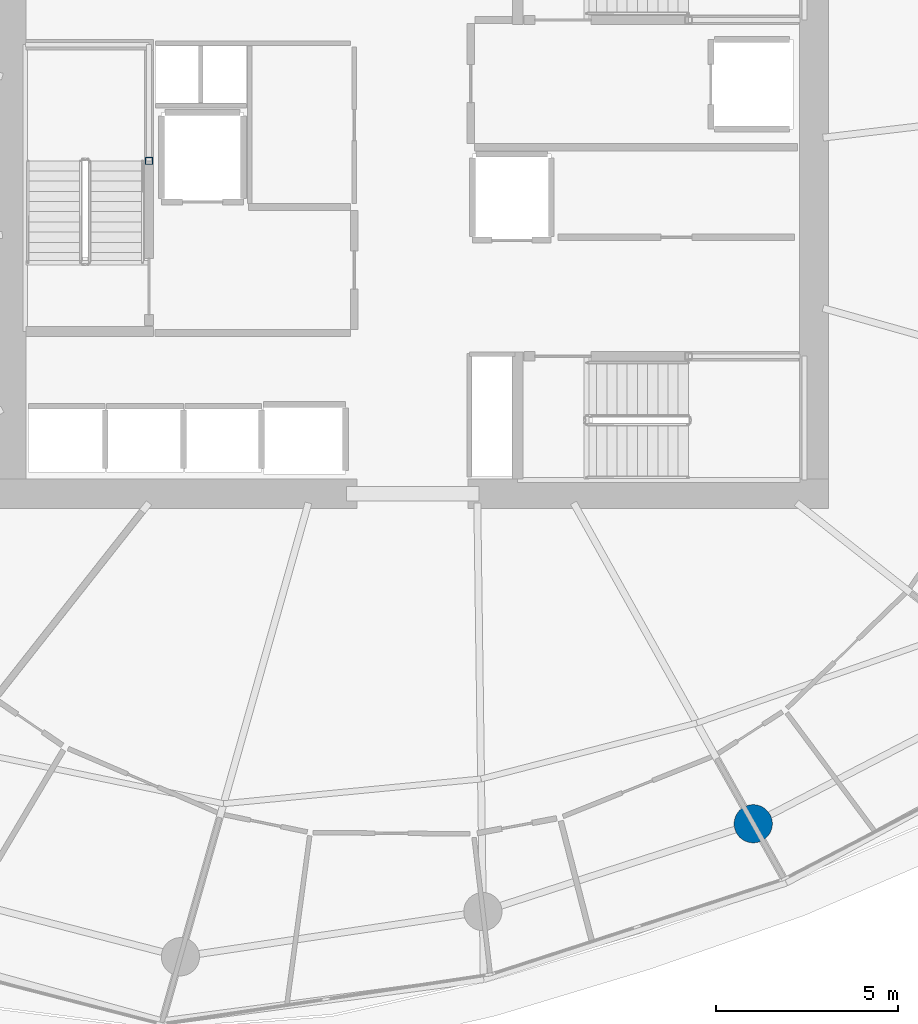
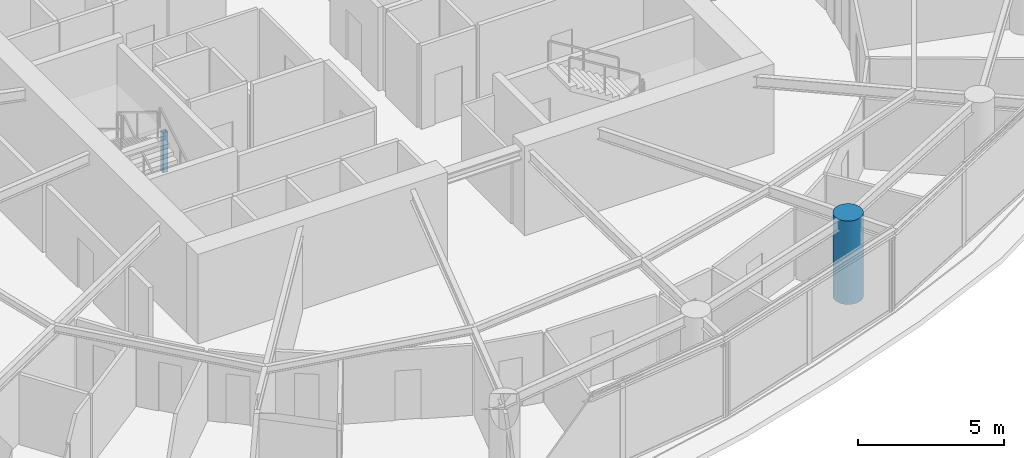
# One storey, part 2 of 17: 2 columns.
"""IFC4 building model written with IfcOpenShell, lengths in metres."""

from ifc_helpers import new_model, si_unit, direction, frame, origin, origin_2d, place, context, subcontext, project, spatial, hollow_rectangle, circle, extrude, material, material_profile, profile_set, type_object, element, save


model = new_model("IFC4")

# Units and contexts
model_context = context("Model", 3, precision=1e-05, world=origin(), true_north=direction((0.0, 1.0)))
body_context = subcontext(model_context, "Body", "Model", "MODEL_VIEW")
ifc_project = project(units=[si_unit("LENGTHUNIT", "METRE"), si_unit("AREAUNIT", "SQUARE_METRE"), si_unit("VOLUMEUNIT", "CUBIC_METRE"), si_unit("PLANEANGLEUNIT", "RADIAN"), si_unit("MASSUNIT", "GRAM", prefix="KILO")], contexts=[model_context])

# Site, building, storey
site_placement = place(None, origin())
site = spatial("IfcSite", under=ifc_project, at=site_placement, CompositionType="ELEMENT")
building_placement = place(site_placement, origin())
building = spatial("IfcBuilding", under=site, at=building_placement, Name="Kazma Halo Residences", CompositionType="ELEMENT")
storey_placement = place(building_placement, frame((0.0, 0.0, 127.800048828125)))
storey = spatial("IfcBuildingStorey", under=building, at=storey_placement, Name="L31", CompositionType="ELEMENT", Elevation=127.800048828125)

# Columns
ifc_material_1 = material(Name="Steel S355", Category="steel")
ifc_material_profile_1 = material_profile(ifc_material_1, hollow_rectangle(XDim=0.199951171875, YDim=0.199951171875, WallThickness=0.010009765625, InnerFilletRadius=0.010009765625, OuterFilletRadius=0.02001953125, at=origin_2d()), Name="SHS200x200x10")
ifc_profile_set_1 = profile_set([ifc_material_profile_1], Name="Steel S355")
column_type_1 = type_object("IfcColumnType", Name="COL-LP-SHS200", PredefinedType="COLUMN", material=ifc_profile_set_1)
column_1_placement = place(storey_placement, frame((41.179931640625, 42.75, 0.0), z_axis=(0.0, 0.0, 1.0), x_axis=(1.0, 0.0, 0.0)))
element("IfcColumn", 1, at=column_1_placement, inside=storey, type_object=column_type_1, Name="L31 ST-01 landing pilaster 1", PredefinedType="COLUMN", context=body_context, shape_type="SweptSolid", body=[
    extrude(hollow_rectangle(XDim=0.199951171875, YDim=0.199951171875, WallThickness=0.010009765625, InnerFilletRadius=0.010009765625, OuterFilletRadius=0.02001953125, at=origin_2d()), origin(), (0.0, 0.0, 1.0), 1.669921875),
])
ifc_material_2 = material(Name="Concrete C80/95", Category="concrete")
ifc_material_profile_2 = material_profile(ifc_material_2, circle(Radius=0.52490234375, at=origin_2d()), Name="CIRC1050")
ifc_profile_set_2 = profile_set([ifc_material_profile_2], Name="Concrete C80/95")
column_type_2 = type_object("IfcColumnType", Name="COL-PERIM-1050", PredefinedType="COLUMN", material=ifc_profile_set_2)
column_2_placement = place(storey_placement, frame((57.781982421875, 24.53271484375, 0.0), z_axis=(0.0, 0.0, 1.0), x_axis=(1.0, 0.0, 0.0)))
element("IfcColumn", 2, at=column_2_placement, inside=storey, type_object=column_type_2, Name="L31 perimeter ring column P13", PredefinedType="COLUMN", context=body_context, shape_type="SweptSolid", body=[
    extrude(circle(Radius=0.52490234375, at=origin_2d()), origin(), (0.0, 0.0, 1.0), 3.5),
])

save(model, "model.ifc")
